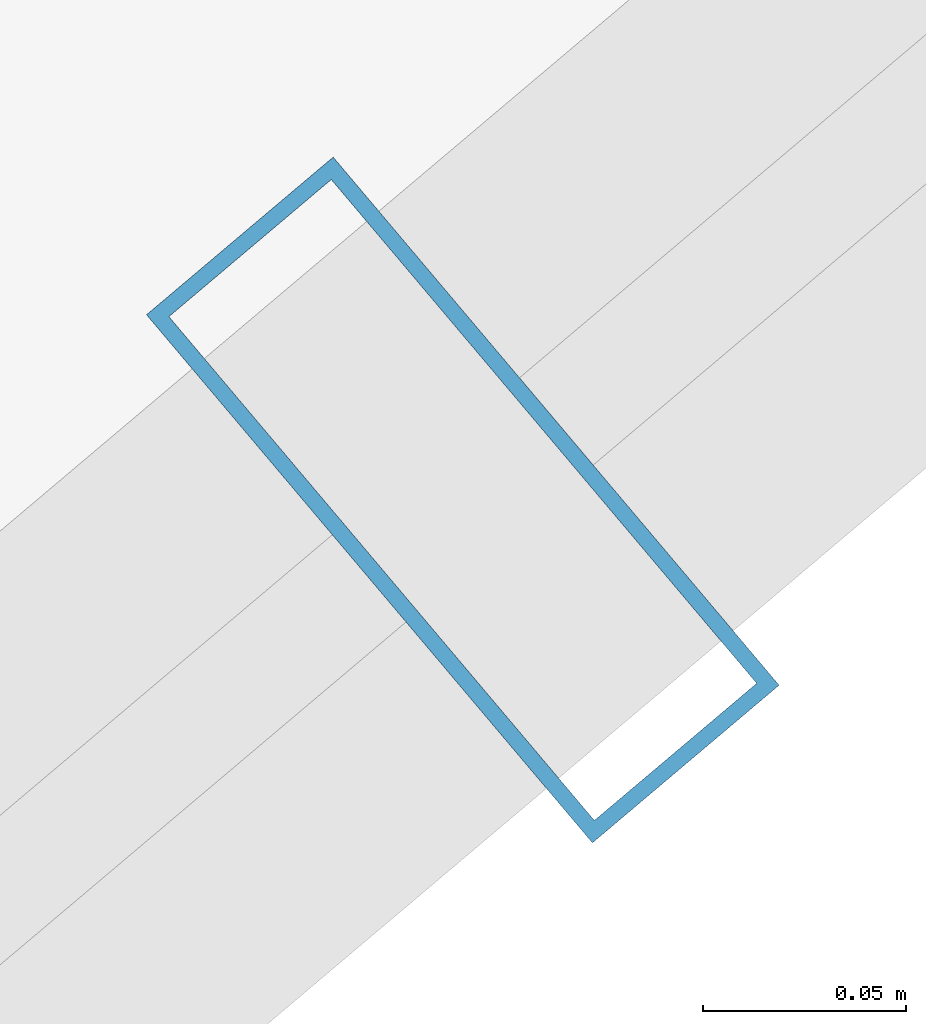
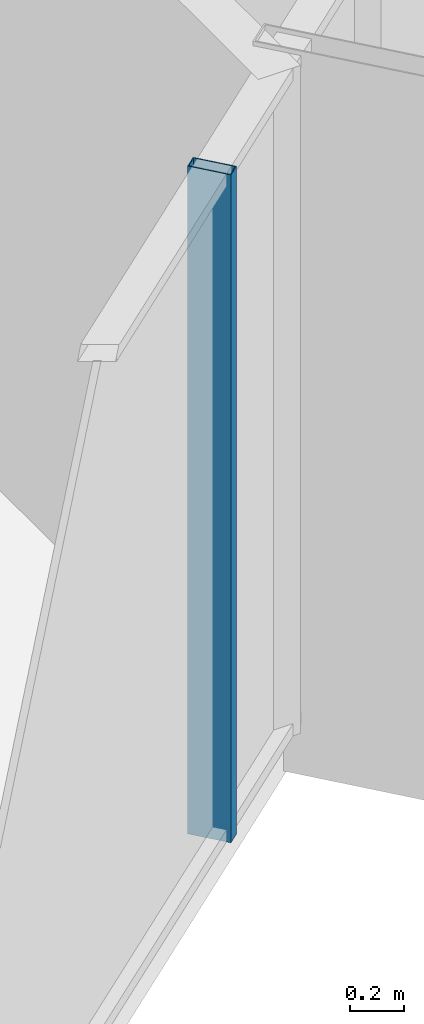
# One storey, part 7 of 36: 1 member, 1 element without a shape of its own.
"""IFC4 building model written with IfcOpenShell, lengths in metres."""

from ifc_helpers import new_model, si_unit, direction, frame, origin, origin_2d, place, context, subcontext, project, spatial, hollow_rectangle, extrude, source, transform, mapped, material, layer, layer_set, material_profile, profile_set, type_object, element, aggregate, save


model = new_model("IFC4")

# Units and contexts
model_context = context("Model", 3, precision=1e-05, world=origin(), true_north=direction((0.0, 1.0)))
body_context = subcontext(model_context, "Body", "Model", "MODEL_VIEW")
ifc_project = project(units=[si_unit("LENGTHUNIT", "METRE"), si_unit("AREAUNIT", "SQUARE_METRE"), si_unit("VOLUMEUNIT", "CUBIC_METRE"), si_unit("PLANEANGLEUNIT", "RADIAN"), si_unit("MASSUNIT", "GRAM", prefix="KILO")], contexts=[model_context])

# Site, building, storey
site_placement = place(None, origin())
site = spatial("IfcSite", under=ifc_project, at=site_placement, CompositionType="ELEMENT")
building_placement = place(site_placement, origin())
building = spatial("IfcBuilding", under=site, at=building_placement, Name="Veraguas Prism Commons", CompositionType="ELEMENT")
storey_placement = place(building_placement, frame((0.0, 0.0, 163.050048828125)))
storey = spatial("IfcBuildingStorey", under=building, at=storey_placement, Name="L46", CompositionType="ELEMENT", Elevation=163.050048828125)

# Curtain wall, member
ifc_material = material(Name="Anodised aluminium EN AW-6063 T6", Category="aluminium")
ifc_layer = layer(ifc_material, 0.169921875, Name="Unitised Flush Curtain Wall Zone 2", Category="aluminium")
ifc_layer_set = layer_set([ifc_layer], Name="Anodised aluminium EN AW-6063 T6")
curtain_wall_type = type_object("IfcCurtainWallType", Name="Unitised Flush Curtain Wall Zone 2", PredefinedType="NOTDEFINED", material=ifc_layer_set)
curtain_wall_placement = place(storey_placement, origin())
curtain_wall = element("IfcCurtainWall", 1, at=curtain_wall_placement, inside=storey, type_object=curtain_wall_type, Name="Tower Facade Curtain Wall L46-F5", PredefinedType="NOTDEFINED")
ifc_material_profile = material_profile(ifc_material, hollow_rectangle(XDim=0.06005859375, YDim=0.169921875, WallThickness=0.00390625, at=origin_2d()), Name="AL60X170X4")
ifc_profile_set = profile_set([ifc_material_profile], Name="Anodised aluminium EN AW-6063 T6")
member_type = type_object("IfcMemberType", Name="Curtain Wall Mullion Lower AL 60x170x4", PredefinedType="MULLION", material=ifc_profile_set)
shared_shape = source(origin(), body_context, "Body", "SweptSolid", [
    extrude(hollow_rectangle(XDim=0.06005859375, YDim=0.169921875, WallThickness=0.00390625, at=origin_2d()), origin(), (0.0, 0.0, 1.0), 3.0),
])
member_placement = place(storey_placement, frame((33.08447265625, 6.564208984375, 0.0), z_axis=(0.0, 0.0, 1.0), x_axis=(0.764022415403, 0.645189699826, 0.0)))
member = element("IfcMember", 2, at=member_placement, type_object=member_type, Name="CW-Z2 Mullion 2", PredefinedType="MULLION", context=body_context, shape_type="MappedRepresentation", body=[
    mapped(shared_shape, transform((0.0, 0.0, 0.0), scale=1.0)),
])
aggregate(curtain_wall, [member])

save(model, "model.ifc")
